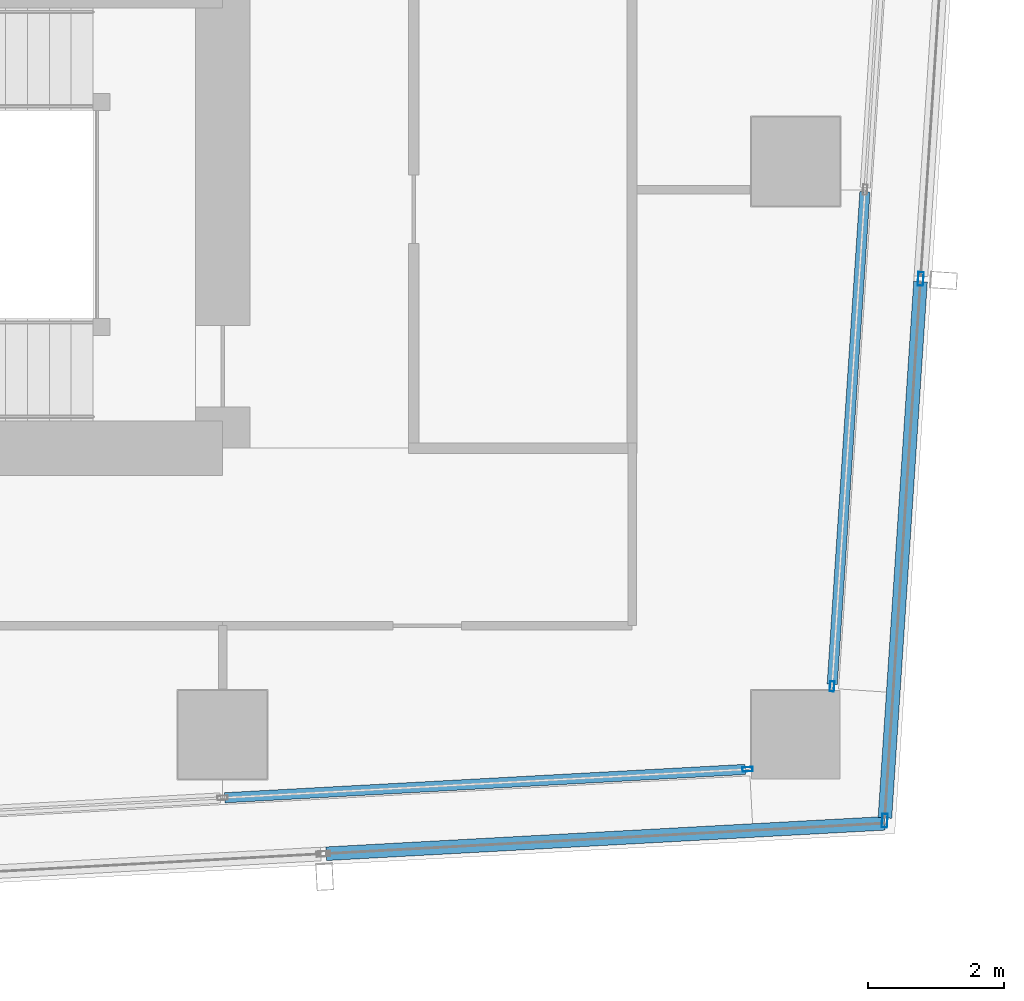
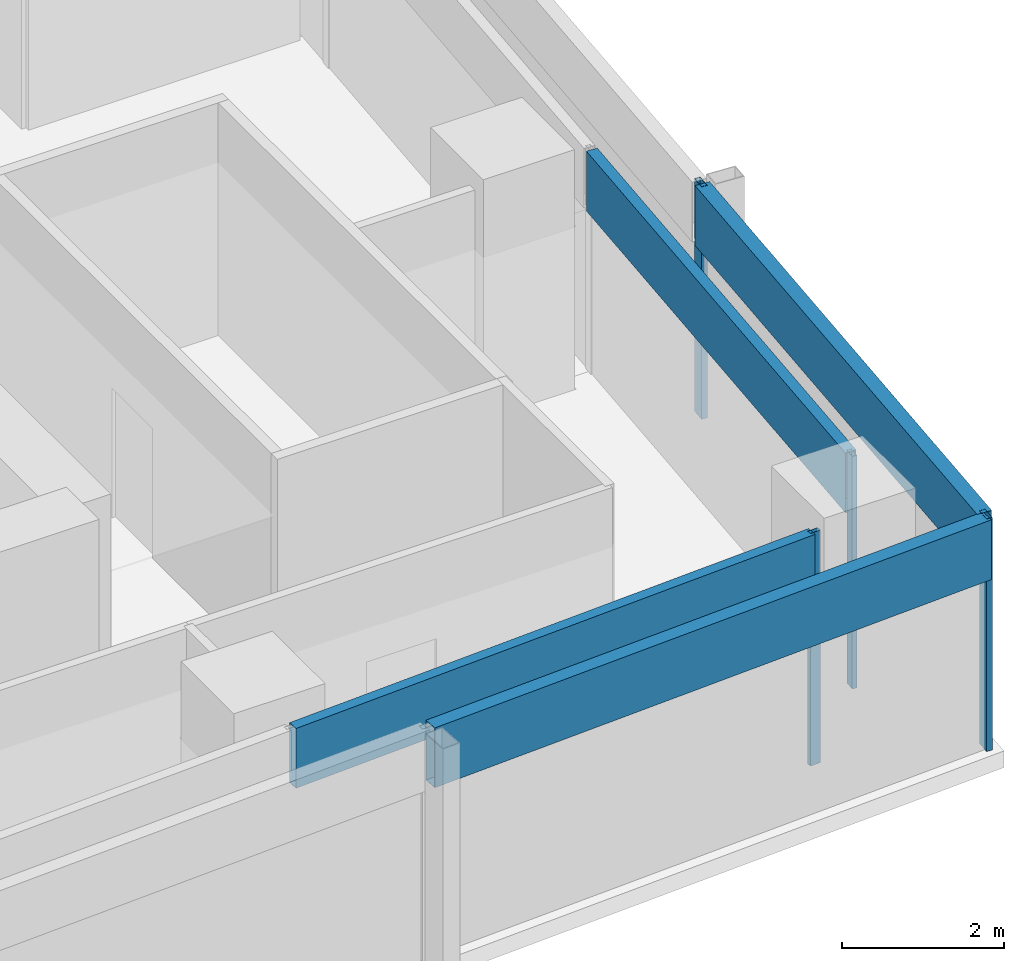
# One storey, part 11 of 30: 8 members, 4 elements without a shape of their own.
"""IFC4 building model written with IfcOpenShell, lengths in metres."""

from ifc_helpers import new_model, si_unit, direction, frame, origin, origin_2d, place, context, subcontext, project, spatial, hollow_rectangle, extrude, material, material_profile, profile_set, type_object, element, aggregate, save


model = new_model("IFC4")

# Units and contexts
model_context = context("Model", 3, precision=1e-05, world=origin(), true_north=direction((0.0, 1.0)))
body_context = subcontext(model_context, "Body", "Model", "MODEL_VIEW")
ifc_project = project(units=[si_unit("LENGTHUNIT", "METRE"), si_unit("AREAUNIT", "SQUARE_METRE"), si_unit("VOLUMEUNIT", "CUBIC_METRE"), si_unit("PLANEANGLEUNIT", "RADIAN"), si_unit("MASSUNIT", "GRAM", prefix="KILO")], contexts=[model_context])

# Site, building, storey
site_placement = place(None, origin())
site = spatial("IfcSite", under=ifc_project, at=site_placement, CompositionType="ELEMENT")
building_placement = place(site_placement, origin())
building = spatial("IfcBuilding", under=site, at=building_placement, Name="Rekha Terrace Tower", CompositionType="ELEMENT")
storey_placement = place(building_placement, frame((0.0, 0.0, 272.60009765625)))
storey = spatial("IfcBuildingStorey", under=building, at=storey_placement, Name="L69", CompositionType="ELEMENT", Elevation=272.60009765625)

# Curtain wall, member
ifc_material_1 = material(Name="Aluminium framing", Category="aluminium")
curtain_wall_type_1 = type_object("IfcCurtainWallType", Name="CW1 double skin inner glazing", PredefinedType="USERDEFINED", material=ifc_material_1)
curtain_wall_1_placement = place(storey_placement, origin())
curtain_wall_1 = element("IfcCurtainWall", 1, at=curtain_wall_1_placement, inside=storey, type_object=curtain_wall_type_1, Name="CW1 double skin inner glazing", ObjectType="DOUBLE SKIN INNER GLAZING", PredefinedType="USERDEFINED")
ifc_material_2 = material(Name="Aluminium mullion section", Category="aluminium")
ifc_material_profile_1 = material_profile(ifc_material_2, hollow_rectangle(XDim=0.06494140625, YDim=0.14990234375, WallThickness=0.00390625, at=origin_2d()), Name="AL RHS 65x150")
ifc_profile_set_1 = profile_set([ifc_material_profile_1], Name="Aluminium mullion section")
member_type_1 = type_object("IfcMemberType", Name="CW1 mullion RHS 65 x 150", PredefinedType="MULLION", material=ifc_profile_set_1)
member_1_placement = place(storey_placement, frame((58.092529296875, 16.2939453125, 0.0), z_axis=(0.0, 0.0, 1.0), x_axis=(-0.054388903036, 0.998519828159, 0.0)))
member_1 = element("IfcMember", 2, at=member_1_placement, type_object=member_type_1, Name="CW1 mullion 5", PredefinedType="MULLION", context=body_context, shape_type="SweptSolid", body=[
    extrude(hollow_rectangle(XDim=0.06494140625, YDim=0.14990234375, WallThickness=0.00390625, at=origin_2d()), origin(), (0.0, 0.0, 1.0), 3.5),
])

curtain_wall_2_placement = place(storey_placement, origin())
curtain_wall_2 = element("IfcCurtainWall", 3, at=curtain_wall_2_placement, inside=storey, type_object=curtain_wall_type_1, Name="CW1 double skin inner glazing", ObjectType="DOUBLE SKIN INNER GLAZING", PredefinedType="USERDEFINED")
member_2_placement = place(storey_placement, frame((59.3310546875, 17.5087890625, 0.0), z_axis=(0.0, 0.0, 1.0), x_axis=(-0.997801621769, 0.066271589649, 0.0)))
member_2 = element("IfcMember", 4, at=member_2_placement, type_object=member_type_1, Name="CW1 mullion 1", PredefinedType="MULLION", context=body_context, shape_type="SweptSolid", body=[
    extrude(hollow_rectangle(XDim=0.06494140625, YDim=0.14990234375, WallThickness=0.00390625, at=origin_2d()), origin(), (0.0, 0.0, 1.0), 3.5),
])

# Member
ifc_material_3 = material(Name="Insulated aluminium spandrel box", Category="aluminium")
ifc_material_profile_2 = material_profile(ifc_material_3, hollow_rectangle(XDim=0.14990234375, YDim=0.89990234375, WallThickness=0.0029296875, at=origin_2d()), Name="AL SPANDREL BOX 150x900")
ifc_profile_set_2 = profile_set([ifc_material_profile_2], Name="Insulated aluminium spandrel box")
member_type_2 = type_object("IfcMemberType", Name="CW1 spandrel transom 150 x 900", PredefinedType="USERDEFINED", material=ifc_profile_set_2)
member_3_placement = place(storey_placement, frame((50.431640625, 15.876708984375, 3.0498046875), z_axis=(0.998519749799, 0.054390341617, 0.0), x_axis=(-0.054390341617, 0.998519749799, 0.0)))
member_3 = element("IfcMember", 5, at=member_3_placement, type_object=member_type_2, Name="CW1 spandrel transom 4", ObjectType="TRANSOM", PredefinedType="USERDEFINED", context=body_context, shape_type="SweptSolid", body=[
    extrude(hollow_rectangle(XDim=0.14990234375, YDim=0.89990234375, WallThickness=0.0029296875, at=origin_2d()), origin(), (0.0, 0.0, 1.0), 7.6396484375),
])

aggregate(curtain_wall_1, [member_1, member_3])

member_4_placement = place(storey_placement, frame((59.333251953125, 17.541015625, 3.0498046875), z_axis=(0.066261233081, 0.997802309574, 0.0), x_axis=(-0.997802309574, 0.066261233081, 0.0)))
member_4 = element("IfcMember", 6, at=member_4_placement, type_object=member_type_2, Name="CW1 spandrel transom 1", ObjectType="TRANSOM", PredefinedType="USERDEFINED", context=body_context, shape_type="SweptSolid", body=[
    extrude(hollow_rectangle(XDim=0.14990234375, YDim=0.89990234375, WallThickness=0.0029296875, at=origin_2d()), origin(), (0.0, 0.0, 1.0), 7.22900390625),
])

aggregate(curtain_wall_2, [member_2, member_4])

# Curtain wall, members
curtain_wall_type_2 = type_object("IfcCurtainWallType", Name="CW2 double skin outer glazing", PredefinedType="USERDEFINED", material=ifc_material_1)
curtain_wall_3_placement = place(storey_placement, origin())
curtain_wall_3 = element("IfcCurtainWall", 7, at=curtain_wall_3_placement, inside=storey, type_object=curtain_wall_type_2, Name="CW2 double skin outer glazing", ObjectType="DOUBLE SKIN OUTER GLAZING", PredefinedType="USERDEFINED")
ifc_material_profile_3 = material_profile(ifc_material_2, hollow_rectangle(XDim=0.080078125, YDim=0.199951171875, WallThickness=0.00390625, at=origin_2d()), Name="AL RHS 80x200")
ifc_profile_set_3 = profile_set([ifc_material_profile_3], Name="Aluminium mullion section")
member_type_3 = type_object("IfcMemberType", Name="CW2 mullion RHS 80 x 200", PredefinedType="MULLION", material=ifc_profile_set_3)
member_5_placement = place(storey_placement, frame((60.102294921875, 15.5419921875, 0.0), z_axis=(0.0, 0.0, 1.0), x_axis=(-0.997801621769, 0.066271589649, 0.0)))
member_5 = element("IfcMember", 8, at=member_5_placement, type_object=member_type_3, Name="CW2 mullion 1", PredefinedType="MULLION", context=body_context, shape_type="SweptSolid", body=[
    extrude(hollow_rectangle(XDim=0.080078125, YDim=0.199951171875, WallThickness=0.00390625, at=origin_2d()), origin(), (0.0, 0.0, 1.0), 3.5),
])
member_6_placement = place(storey_placement, frame((60.629638671875, 23.479736328125, 0.0), z_axis=(0.0, 0.0, 1.0), x_axis=(-0.997801621769, 0.066271589649, 0.0)))
member_6 = element("IfcMember", 9, at=member_6_placement, type_object=member_type_3, Name="CW2 mullion 2", PredefinedType="MULLION", context=body_context, shape_type="SweptSolid", body=[
    extrude(hollow_rectangle(XDim=0.080078125, YDim=0.199951171875, WallThickness=0.00390625, at=origin_2d()), origin(), (0.0, 0.0, 1.0), 3.5),
])

# Curtain wall, member
curtain_wall_4_placement = place(storey_placement, origin())
curtain_wall_4 = element("IfcCurtainWall", 10, at=curtain_wall_4_placement, inside=storey, type_object=curtain_wall_type_2, Name="CW2 double skin outer glazing", ObjectType="DOUBLE SKIN OUTER GLAZING", PredefinedType="USERDEFINED")
ifc_material_profile_4 = material_profile(ifc_material_3, hollow_rectangle(XDim=0.199951171875, YDim=0.89990234375, WallThickness=0.0029296875, at=origin_2d()), Name="AL SPANDREL BOX 200x900")
ifc_profile_set_4 = profile_set([ifc_material_profile_4], Name="Insulated aluminium spandrel box")
member_type_4 = type_object("IfcMemberType", Name="CW2 spandrel transom 200 x 900", PredefinedType="USERDEFINED", material=ifc_profile_set_4)
member_7_placement = place(storey_placement, frame((51.91650390625, 15.056396484375, 3.0498046875), z_axis=(0.998521064062, 0.054366208476, 0.0), x_axis=(-0.054366208476, 0.998521064062, 0.0)))
member_7 = element("IfcMember", 11, at=member_7_placement, type_object=member_type_4, Name="CW2 spandrel transom 4", ObjectType="TRANSOM", PredefinedType="USERDEFINED", context=body_context, shape_type="SweptSolid", body=[
    extrude(hollow_rectangle(XDim=0.199951171875, YDim=0.89990234375, WallThickness=0.0029296875, at=origin_2d()), origin(), (0.0, 0.0, 1.0), 8.195556640625),
])
aggregate(curtain_wall_4, [member_7])

# Member
member_8_placement = place(storey_placement, frame((60.10498046875, 15.581787109375, 3.0498046875), z_axis=(0.066280327672, 0.997801041372, 0.0), x_axis=(-0.997801041372, 0.066280327672, 0.0)))
member_8 = element("IfcMember", 12, at=member_8_placement, type_object=member_type_4, Name="CW2 spandrel transom 1", ObjectType="TRANSOM", PredefinedType="USERDEFINED", context=body_context, shape_type="SweptSolid", body=[
    extrude(hollow_rectangle(XDim=0.199951171875, YDim=0.89990234375, WallThickness=0.0029296875, at=origin_2d()), origin(), (0.0, 0.0, 1.0), 7.875244140625),
])

aggregate(curtain_wall_3, [member_5, member_6, member_8])

save(model, "model.ifc")
